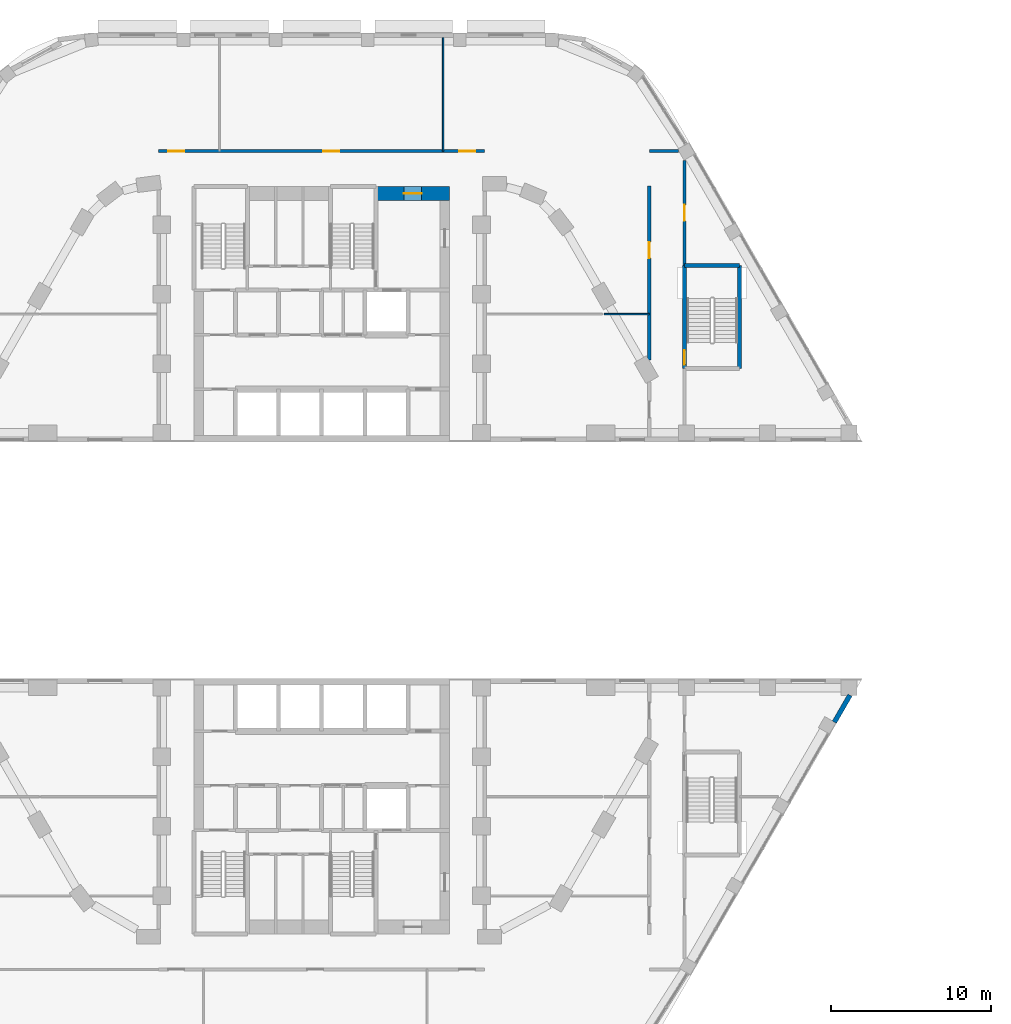
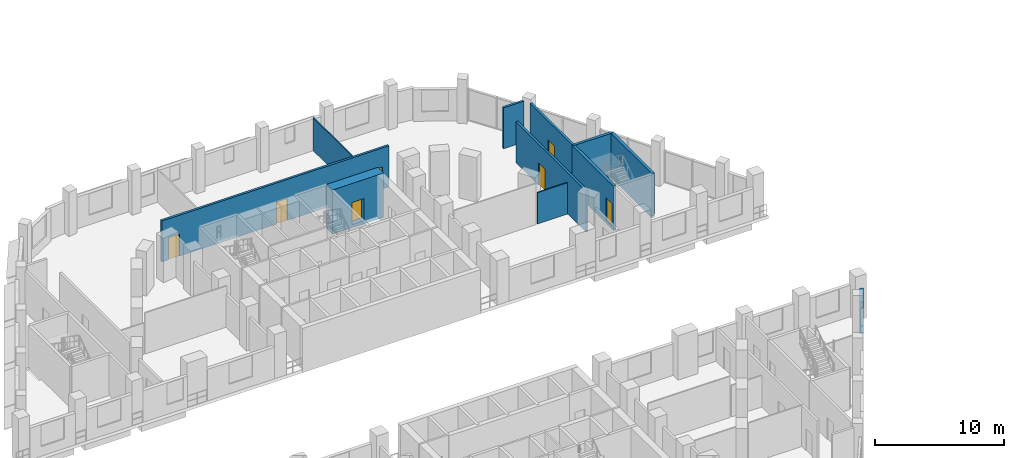
# One storey, part 25 of 47: 11 walls, 7 doors, 7 openings.
"""IFC4 building model written with IfcOpenShell, lengths in metres."""

from ifc_helpers import new_model, si_unit, direction, frame, frame_2d, origin, place, context, subcontext, project, spatial, rectangle, extrude, material, layer, layer_set, type_object, element, fill, save


model = new_model("IFC4")

# Units and contexts
model_context = context("Model", 3, precision=1e-05, world=origin(), true_north=direction((0.0, 1.0)))
body_context = subcontext(model_context, "Body", "Model", "MODEL_VIEW")
ifc_project = project(units=[si_unit("LENGTHUNIT", "METRE"), si_unit("AREAUNIT", "SQUARE_METRE"), si_unit("VOLUMEUNIT", "CUBIC_METRE"), si_unit("PLANEANGLEUNIT", "RADIAN"), si_unit("MASSUNIT", "GRAM", prefix="KILO")], contexts=[model_context])

# Site, building, storey
site_placement = place(None, origin())
site = spatial("IfcSite", under=ifc_project, at=site_placement, CompositionType="ELEMENT")
building_placement = place(site_placement, origin())
building = spatial("IfcBuilding", under=site, at=building_placement, Name="Nakaniwa Court", CompositionType="ELEMENT")
storey_placement = place(building_placement, frame((0.0, 0.0, 15.60009765625)))
storey = spatial("IfcBuildingStorey", under=building, at=storey_placement, Name="L03", CompositionType="ELEMENT", Elevation=15.60009765625)

# Wall, opening, door
ifc_material_1 = material(Name="Acoustic double stud partition")
ifc_layer_1 = layer(ifc_material_1, 0.199951171875)
ifc_layer_set_1 = layer_set([ifc_layer_1], Name="Acoustic double stud partition")
wall_type_1 = type_object("IfcWallType", Name="Acoustic double stud partition 200", PredefinedType="PARTITIONING", material=ifc_layer_set_1)
wall_1_placement = place(storey_placement, frame((102.699951171875, 105.024658203125, 0.0), z_axis=(0.0, 0.0, 1.0), x_axis=(0.0, -1.0, 0.0)))
wall_1 = element("IfcWall", 1, at=wall_1_placement, inside=storey, type_object=wall_type_1, Name="Partition PW-084", PredefinedType="PARTITIONING", context=body_context, shape_type="SweptSolid", body=[
    extrude(rectangle(XDim=6.57763671875, YDim=0.199951171875, at=frame_2d((3.288818359375, 0.0))), origin(), (0.0, 0.0, 1.0), 3.89990234375),
])
opening_1_placement = place(wall_1_placement, frame((2.7890625, 0.0, 0.0)))
opening_1 = element("IfcOpeningElement", 2, at=opening_1_placement, cuts=wall_1, Name="Opening D-02-02", PredefinedType="OPENING", context=body_context, shape_type="SweptSolid", body=[
    extrude(rectangle(XDim=1.0, YDim=2.10009765625, at=frame_2d((0.5, 1.050048828125))), frame((0.0, 0.10986328125, 0.0), z_axis=(0.0, -1.0, 0.0), x_axis=(1.0, 0.0, 0.0)), (0.0, 0.0, 1.0), 0.219970703125),
])
ifc_material_2 = material(Name="Solid core timber door set, black veneer", Category="wood")
door_type_1 = type_object("IfcDoorType", Name="Internal door 1000", OperationType="NOTDEFINED", PredefinedType="DOOR", material=ifc_material_2)
door_1_placement = place(opening_1_placement, origin())
door_1 = element("IfcDoor", 3, at=door_1_placement, inside=storey, type_object=door_type_1, Name="Door D-02-02 L03-032", OperationType="SINGLE_SWING_LEFT", OverallHeight=2.10009765625, OverallWidth=1.0, PredefinedType="DOOR", context=body_context, shape_type="SweptSolid", body=[
    extrude(rectangle(XDim=1.0, YDim=2.10009765625, at=frame_2d((0.5, 1.050048828125))), frame((0.0, 0.02490234375, 0.0), z_axis=(0.0, -1.0, 0.0), x_axis=(1.0, 0.0, 0.0)), (0.0, 0.0, 1.0), 0.050048828125),
])
fill(opening_1, door_1)

wall_2_placement = place(storey_placement, frame((100.5, 92.52978515625, 0.0), z_axis=(0.0, 0.0, 1.0), x_axis=(0.0, 1.0, 0.0)))
wall_2 = element("IfcWall", 4, at=wall_2_placement, inside=storey, type_object=wall_type_1, Name="Partition PW-088", PredefinedType="PARTITIONING", context=body_context, shape_type="SweptSolid", body=[
    extrude(rectangle(XDim=10.873291015625, YDim=0.199951171875, at=frame_2d((5.4365234375, 0.0))), origin(), (0.0, 0.0, 1.0), 3.89990234375),
])
opening_2_placement = place(wall_2_placement, frame((6.3701171875, 0.0, 0.0)))
opening_2 = element("IfcOpeningElement", 5, at=opening_2_placement, cuts=wall_2, Name="Opening D-02-04", PredefinedType="OPENING", context=body_context, shape_type="SweptSolid", body=[
    extrude(rectangle(XDim=1.0, YDim=2.10009765625, at=frame_2d((0.5, 1.050048828125))), frame((0.0, 0.10986328125, 0.0), z_axis=(0.0, -1.0, 0.0), x_axis=(1.0, 0.0, 0.0)), (0.0, 0.0, 1.0), 0.219970703125),
])
door_2_placement = place(opening_2_placement, origin())
door_2 = element("IfcDoor", 6, at=door_2_placement, inside=storey, type_object=door_type_1, Name="Door D-02-04 L03-034", OperationType="SINGLE_SWING_LEFT", OverallHeight=2.10009765625, OverallWidth=1.0, PredefinedType="DOOR", context=body_context, shape_type="SweptSolid", body=[
    extrude(rectangle(XDim=1.0, YDim=2.10009765625, at=frame_2d((0.5, 1.050048828125))), frame((0.0, 0.02490234375, 0.0), z_axis=(0.0, -1.0, 0.0), x_axis=(1.0, 0.0, 0.0)), (0.0, 0.0, 1.0), 0.050048828125),
])
fill(opening_2, door_2)

# Wall, openings, doors
wall_3_placement = place(storey_placement, frame((69.800048828125, 105.60009765625, 0.0), z_axis=(0.0, 0.0, 1.0), x_axis=(1.0, 0.0, 0.0)))
wall_3 = element("IfcWall", 7, at=wall_3_placement, inside=storey, type_object=wall_type_1, Name="Partition PW-090", PredefinedType="PARTITIONING", context=body_context, shape_type="SweptSolid", body=[
    extrude(rectangle(XDim=20.39990234375, YDim=0.199951171875, at=frame_2d((10.199951171875, 0.0))), origin(), (0.0, 0.0, 1.0), 3.89990234375),
])
opening_3_placement = place(wall_3_placement, frame((0.60205078125, 0.0, 0.0)))
opening_3 = element("IfcOpeningElement", 8, at=opening_3_placement, cuts=wall_3, Name="Opening D-02-07", PredefinedType="OPENING", context=body_context, shape_type="SweptSolid", body=[
    extrude(rectangle(XDim=1.0, YDim=2.10009765625, at=frame_2d((0.5, 1.050048828125))), frame((0.0, 0.10986328125, 0.0), z_axis=(0.0, -1.0, 0.0), x_axis=(1.0, 0.0, 0.0)), (0.0, 0.0, 1.0), 0.219970703125),
])
opening_4_placement = place(wall_3_placement, frame((18.800048828125, 0.0, 0.0)))
opening_4 = element("IfcOpeningElement", 9, at=opening_4_placement, cuts=wall_3, Name="Opening D-02-08", PredefinedType="OPENING", context=body_context, shape_type="SweptSolid", body=[
    extrude(rectangle(XDim=1.0, YDim=2.10009765625, at=frame_2d((0.5, 1.050048828125))), frame((0.0, 0.10986328125, 0.0), z_axis=(0.0, -1.0, 0.0), x_axis=(1.0, 0.0, 0.0)), (0.0, 0.0, 1.0), 0.219970703125),
])
opening_5_placement = place(wall_3_placement, frame((10.300048828125, 0.0, 0.0)))
opening_5 = element("IfcOpeningElement", 10, at=opening_5_placement, cuts=wall_3, Name="Opening D-02-09", PredefinedType="OPENING", context=body_context, shape_type="SweptSolid", body=[
    extrude(rectangle(XDim=1.0, YDim=2.10009765625, at=frame_2d((0.5, 1.050048828125))), frame((0.0, 0.10986328125, 0.0), z_axis=(0.0, -1.0, 0.0), x_axis=(1.0, 0.0, 0.0)), (0.0, 0.0, 1.0), 0.219970703125),
])
door_3_placement = place(opening_3_placement, origin())
door_3 = element("IfcDoor", 11, at=door_3_placement, inside=storey, type_object=door_type_1, Name="Door D-02-07 L03-037", OperationType="SINGLE_SWING_RIGHT", OverallHeight=2.10009765625, OverallWidth=1.0, PredefinedType="DOOR", context=body_context, shape_type="SweptSolid", body=[
    extrude(rectangle(XDim=1.0, YDim=2.10009765625, at=frame_2d((0.5, 1.050048828125))), frame((0.0, 0.02490234375, 0.0), z_axis=(0.0, -1.0, 0.0), x_axis=(1.0, 0.0, 0.0)), (0.0, 0.0, 1.0), 0.050048828125),
])
fill(opening_3, door_3)
door_4_placement = place(opening_4_placement, origin())
door_4 = element("IfcDoor", 12, at=door_4_placement, inside=storey, type_object=door_type_1, Name="Door D-02-08 L03-038", OperationType="SINGLE_SWING_LEFT", OverallHeight=2.10009765625, OverallWidth=1.0, PredefinedType="DOOR", context=body_context, shape_type="SweptSolid", body=[
    extrude(rectangle(XDim=1.0, YDim=2.10009765625, at=frame_2d((0.5, 1.050048828125))), frame((0.0, 0.02490234375, 0.0), z_axis=(0.0, -1.0, 0.0), x_axis=(1.0, 0.0, 0.0)), (0.0, 0.0, 1.0), 0.050048828125),
])
fill(opening_4, door_4)
door_5_placement = place(opening_5_placement, origin())
door_5 = element("IfcDoor", 13, at=door_5_placement, inside=storey, type_object=door_type_1, Name="Door D-02-09 L03-039", OperationType="SINGLE_SWING_RIGHT", OverallHeight=2.10009765625, OverallWidth=1.0, PredefinedType="DOOR", context=body_context, shape_type="SweptSolid", body=[
    extrude(rectangle(XDim=1.0, YDim=2.10009765625, at=frame_2d((0.5, 1.050048828125))), frame((0.0, 0.02490234375, 0.0), z_axis=(0.0, -1.0, 0.0), x_axis=(1.0, 0.0, 0.0)), (0.0, 0.0, 1.0), 0.050048828125),
])
fill(opening_5, door_5)

# Walls
wall_4_placement = place(storey_placement, frame((100.5, 105.60009765625, 0.0), z_axis=(0.0, 0.0, 1.0), x_axis=(1.0, 0.0, 0.0)))
element("IfcWall", 14, at=wall_4_placement, inside=storey, type_object=wall_type_1, Name="Partition PW-091", PredefinedType="PARTITIONING", context=body_context, shape_type="SweptSolid", body=[
    extrude(rectangle(XDim=1.823486328125, YDim=0.199951171875, at=frame_2d((0.91162109375, 0.0))), origin(), (0.0, 0.0, 1.0), 3.89990234375),
])
ifc_material_3 = material(Name="Charcoal ceramic cladding")
ifc_layer_2 = layer(ifc_material_3, 0.02, Name="Ceramic cladding")
ifc_material_4 = material(Name="Ventilated air cavity")
ifc_layer_3 = layer(ifc_material_4, 0.04, ventilated=True, Name="Ventilated cavity")
ifc_material_5 = material(Name="Mineral wool insulation")
ifc_layer_4 = layer(ifc_material_5, 0.1, Name="Insulation")
ifc_material_6 = material(Name="Cement bonded sheathing board")
ifc_layer_5 = layer(ifc_material_6, 0.012, Name="Sheathing")
ifc_material_7 = material(Name="Cold-formed galvanised stud frame with mineral wool infill")
ifc_layer_6 = layer(ifc_material_7, 0.1, Name="Stud frame")
ifc_material_8 = material(Name="Fire-rated gypsum plasterboard lining")
ifc_layer_7 = layer(ifc_material_8, 0.028, Name="Lining")
ifc_layer_set_2 = layer_set([ifc_layer_2, ifc_layer_3, ifc_layer_4, ifc_layer_5, ifc_layer_6, ifc_layer_7], Name="Charcoal ceramic faced external wall system")
wall_type_2 = type_object("IfcWallType", Name="Black ceramic faced external wall 300", PredefinedType="SOLIDWALL", material=ifc_layer_set_2)
wall_5_placement = place(storey_placement, frame((112.082275390625, 69.8681640625, 0.0), z_axis=(0.0, 0.0, 1.0), x_axis=(0.500051850797, 0.865995465643, 0.0)))
element("IfcWall", 15, at=wall_5_placement, inside=storey, type_object=wall_type_2, Name="L03 external wall 03", PredefinedType="SOLIDWALL", context=body_context, shape_type="SweptSolid", body=[
    extrude(rectangle(XDim=1.946044921875, YDim=0.300048828125, at=frame_2d((0.97314453125, 0.0))), origin(), (0.0, 0.0, 1.0), 3.0),
])

# Wall, opening, door
ifc_material_9 = material(Name="Concrete C100/115", Category="concrete")
ifc_layer_8 = layer(ifc_material_9, 0.25)
ifc_layer_set_3 = layer_set([ifc_layer_8], Name="Concrete C100/115")
wall_type_3 = type_object("IfcWallType", Name="Concrete core wall 250 C100", PredefinedType="SHEAR", material=ifc_layer_set_3)
wall_6_placement = place(storey_placement, frame((102.699951171875, 91.9970703125, -0.300048828125), z_axis=(0.0, 0.0, 1.0), x_axis=(0.0, 1.0, 0.0)))
wall_6 = element("IfcWall", 16, at=wall_6_placement, inside=storey, type_object=wall_type_3, Name="Core wall SW-80", PredefinedType="SHEAR", context=body_context, shape_type="SweptSolid", body=[
    extrude(rectangle(XDim=6.455810546875, YDim=0.25, at=frame_2d((3.22802734375, 0.0))), origin(), (0.0, 0.0, 1.0), 4.199951171875),
])
opening_6_placement = place(wall_6_placement, frame((0.25, 0.0, 0.300048828125)))
opening_6 = element("IfcOpeningElement", 17, at=opening_6_placement, cuts=wall_6, Name="Opening D-11-03", PredefinedType="OPENING", context=body_context, shape_type="SweptSolid", body=[
    extrude(rectangle(XDim=0.89990234375, YDim=2.10009765625, at=frame_2d((0.449951171875, 1.050048828125))), frame((0.0, 0.135009765625, 0.0), z_axis=(0.0, -1.0, 0.0), x_axis=(1.0, 0.0, 0.0)), (0.0, 0.0, 1.0), 0.27001953125),
])
ifc_material_10 = material(Name="Fire rated steel door set", Category="steel")
door_type_2 = type_object("IfcDoorType", Name="Stair door 900", OperationType="NOTDEFINED", PredefinedType="DOOR", material=ifc_material_10)
door_6_placement = place(opening_6_placement, origin())
door_6 = element("IfcDoor", 18, at=door_6_placement, inside=storey, type_object=door_type_2, Name="Door D-11-03 L03-029", OperationType="SINGLE_SWING_LEFT", OverallHeight=2.10009765625, OverallWidth=0.89990234375, PredefinedType="DOOR", context=body_context, shape_type="SweptSolid", body=[
    extrude(rectangle(XDim=0.89990234375, YDim=2.10009765625, at=frame_2d((0.449951171875, 1.050048828125))), frame((0.0, 0.02490234375, 0.0), z_axis=(0.0, -1.0, 0.0), x_axis=(1.0, 0.0, 0.0)), (0.0, 0.0, 1.0), 0.050048828125),
])
fill(opening_6, door_6)

# Walls
wall_7_placement = place(storey_placement, frame((106.14990234375, 92.0, -0.300048828125), z_axis=(0.0, 0.0, 1.0), x_axis=(0.0, 1.0, 0.0)))
element("IfcWall", 19, at=wall_7_placement, inside=storey, type_object=wall_type_3, Name="Core wall SW-119", PredefinedType="SHEAR", context=body_context, shape_type="SweptSolid", body=[
    extrude(rectangle(XDim=6.449951171875, YDim=0.25, at=frame_2d((3.22509765625, 0.0))), origin(), (0.0, 0.0, 1.0), 4.199951171875),
])
wall_8_placement = place(storey_placement, frame((102.699951171875, 98.449951171875, -0.300048828125), z_axis=(0.0, 0.0, 1.0), x_axis=(1.0, 0.0, 0.0)))
element("IfcWall", 20, at=wall_8_placement, inside=storey, type_object=wall_type_3, Name="Core wall SW-121", PredefinedType="SHEAR", context=body_context, shape_type="SweptSolid", body=[
    extrude(rectangle(XDim=3.449951171875, YDim=0.25, at=frame_2d((1.72509765625, 0.0))), origin(), (0.0, 0.0, 1.0), 4.199951171875),
])

# Wall, opening, door
ifc_layer_9 = layer(ifc_material_9, 0.89990234375)
ifc_layer_set_4 = layer_set([ifc_layer_9], Name="Concrete C100/115")
wall_type_4 = type_object("IfcWallType", Name="Concrete core wall 900 C100", PredefinedType="SHEAR", material=ifc_layer_set_4)
wall_9_placement = place(storey_placement, frame((83.39990234375, 102.949951171875, -0.300048828125), z_axis=(0.0, 0.0, 1.0), x_axis=(1.0, 0.0, 0.0)))
wall_9 = element("IfcWall", 21, at=wall_9_placement, inside=storey, type_object=wall_type_4, Name="Core wall SW-36", PredefinedType="SHEAR", context=body_context, shape_type="SweptSolid", body=[
    extrude(rectangle(XDim=4.60009765625, YDim=0.89990234375, at=frame_2d((2.300048828125, 0.0))), origin(), (0.0, 0.0, 1.0), 4.199951171875),
])
opening_7_placement = place(wall_9_placement, frame((1.748046875, 0.0, 0.300048828125)))
opening_7 = element("IfcOpeningElement", 22, at=opening_7_placement, cuts=wall_9, Name="Opening D-10-02", PredefinedType="OPENING", context=body_context, shape_type="SweptSolid", body=[
    extrude(rectangle(XDim=1.10009765625, YDim=2.10009765625, at=frame_2d((0.550048828125, 1.050048828125))), frame((0.0, 0.4599609375, 0.0), z_axis=(0.0, -1.0, 0.0), x_axis=(1.0, 0.0, 0.0)), (0.0, 0.0, 1.0), 0.919921875),
])
door_type_3 = type_object("IfcDoorType", Name="Firefighting lobby door 1100", OperationType="NOTDEFINED", PredefinedType="DOOR", material=ifc_material_10)
door_7_placement = place(opening_7_placement, origin())
door_7 = element("IfcDoor", 23, at=door_7_placement, inside=storey, type_object=door_type_3, Name="Door D-10-02 L03-056", OperationType="SINGLE_SWING_LEFT", OverallHeight=2.10009765625, OverallWidth=1.10009765625, PredefinedType="DOOR", context=body_context, shape_type="SweptSolid", body=[
    extrude(rectangle(XDim=1.10009765625, YDim=2.10009765625, at=frame_2d((0.550048828125, 1.050048828125))), frame((0.0, 0.02490234375, 0.0), z_axis=(0.0, -1.0, 0.0), x_axis=(1.0, 0.0, 0.0)), (0.0, 0.0, 1.0), 0.050048828125),
])
fill(opening_7, door_7)

# Walls
ifc_material_11 = material(Name="Single stud plasterboard partition")
ifc_layer_10 = layer(ifc_material_11, 0.10009765625)
ifc_layer_set_5 = layer_set([ifc_layer_10], Name="Single stud plasterboard partition")
wall_type_5 = type_object("IfcWallType", Name="Single stud plasterboard partition 100", PredefinedType="PARTITIONING", material=ifc_layer_set_5)
wall_10_placement = place(storey_placement, frame((97.680419921875, 95.39990234375, 0.0), z_axis=(0.0, 0.0, 1.0), x_axis=(1.0, 0.0, 0.0)))
element("IfcWall", 24, at=wall_10_placement, inside=storey, type_object=wall_type_5, Name="Partition PW-129", PredefinedType="PARTITIONING", context=body_context, shape_type="SweptSolid", body=[
    extrude(rectangle(XDim=2.819580078125, YDim=0.10009765625, at=frame_2d((1.40966796875, 0.0))), origin(), (0.0, 0.0, 1.0), 2.97998046875),
])
wall_11_placement = place(storey_placement, frame((87.60009765625, 105.60009765625, 0.0), z_axis=(0.0, 0.0, 1.0), x_axis=(0.0, 1.0, 0.0)))
element("IfcWall", 25, at=wall_11_placement, inside=storey, type_object=wall_type_5, Name="Partition PW-131", PredefinedType="PARTITIONING", context=body_context, shape_type="SweptSolid", body=[
    extrude(rectangle(XDim=7.099853515625, YDim=0.10009765625, at=frame_2d((3.5498046875, 0.0))), origin(), (0.0, 0.0, 1.0), 3.1298828125),
])

save(model, "model.ifc")
